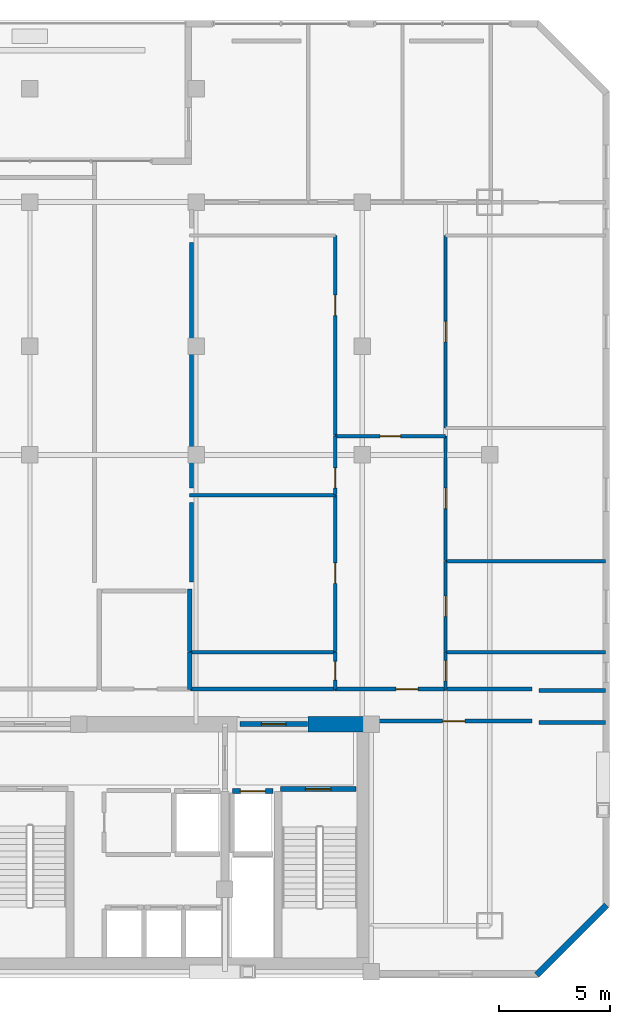
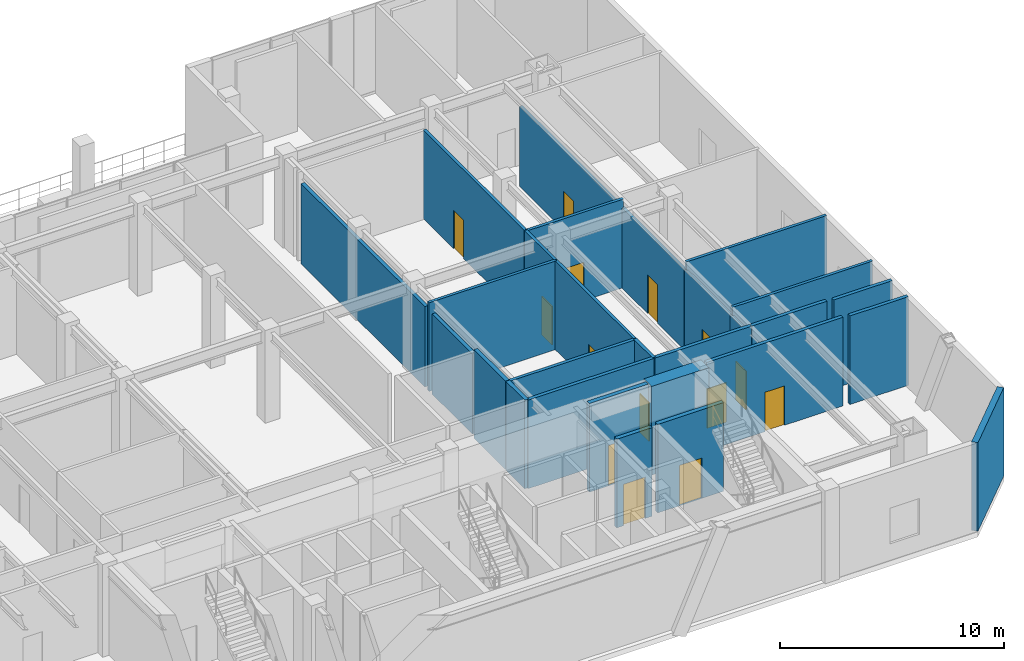
# One storey, part 8 of 11: 28 walls, 14 doors, 14 openings.
"""IFC4 building model written with IfcOpenShell, lengths in metres."""

from ifc_helpers import new_model, si_unit, direction, frame, frame_2d, origin, place, context, subcontext, project, spatial, rectangle, extrude, material, layer, layer_set, type_object, element, fill, save


model = new_model("IFC4")

# Units and contexts
model_context = context("Model", 3, precision=1e-05, world=origin(), true_north=direction((0.0, 1.0)))
body_context = subcontext(model_context, "Body", "Model", "MODEL_VIEW")
ifc_project = project(units=[si_unit("LENGTHUNIT", "METRE"), si_unit("AREAUNIT", "SQUARE_METRE"), si_unit("VOLUMEUNIT", "CUBIC_METRE"), si_unit("PLANEANGLEUNIT", "RADIAN"), si_unit("MASSUNIT", "GRAM", prefix="KILO")], contexts=[model_context])

# Site, building, storey
site_placement = place(None, origin())
site = spatial("IfcSite", under=ifc_project, at=site_placement, CompositionType="ELEMENT")
building_placement = place(site_placement, origin())
building = spatial("IfcBuilding", under=site, at=building_placement, Name="Ventersveld Concourse Tower", CompositionType="ELEMENT")
storey_placement = place(building_placement, frame((0.0, 0.0, 140.14990234375)))
storey = spatial("IfcBuildingStorey", under=building, at=storey_placement, Name="L34", CompositionType="ELEMENT", Elevation=140.14990234375)

# Wall
ifc_material_1 = material(Name="Concrete C60/75", Category="concrete")
ifc_layer_1 = layer(ifc_material_1, 0.699951171875)
ifc_layer_set_1 = layer_set([ifc_layer_1], Name="Concrete C60/75")
wall_type_1 = type_object("IfcWallType", Name="WL-CORE-700", PredefinedType="SHEAR", material=ifc_layer_set_1)
wall_1_placement = place(storey_placement, frame((41.300048828125, 11.449951171875, 0.0), z_axis=(0.0, 0.0, 1.0), x_axis=(1.0, 0.0, 0.0)))
element("IfcWall", 1, at=wall_1_placement, inside=storey, type_object=wall_type_1, Name="L34 Rear Core North Shear Wall NE", PredefinedType="SHEAR", context=body_context, shape_type="SweptSolid", body=[
    extrude(rectangle(XDim=2.949951171875, YDim=0.699951171875, at=frame_2d((1.47509765625, 0.0))), origin(), (0.0, 0.0, 1.0), 4.830078125),
])

# Wall, opening, door
ifc_material_2 = material(Name="Fire-rated autoclaved aerated masonry blockwork", Category="masonry")
ifc_layer_2 = layer(ifc_material_2, 0.179931640625)
ifc_layer_set_2 = layer_set([ifc_layer_2], Name="Fire-rated autoclaved aerated masonry blockwork")
wall_type_2 = type_object("IfcWallType", Name="WL-CORR-180", PredefinedType="PARTITIONING", material=ifc_layer_set_2)
wall_2_placement = place(storey_placement, frame((44.35498046875, 11.5849609375, 0.0), z_axis=(0.0, 0.0, 1.0), x_axis=(1.0, 0.0, 0.0)))
wall_2 = element("IfcWall", 2, at=wall_2_placement, inside=storey, type_object=wall_type_2, Name="L34 Interior Partition SP-L34-SE-OFF-SP-L34-COR", PredefinedType="PARTITIONING", context=body_context, shape_type="SweptSolid", body=[
    extrude(rectangle(XDim=7.0400390625, YDim=0.179931640625, at=frame_2d((3.52001953125, 0.0))), origin(), (0.0, 0.0, 1.0), 4.830078125),
])
opening_1_placement = place(wall_2_placement, frame((3.02001953125, 0.0, 0.0)))
opening_1 = element("IfcOpeningElement", 3, at=opening_1_placement, cuts=wall_2, Name="Opening FD3", PredefinedType="OPENING", context=body_context, shape_type="SweptSolid", body=[
    extrude(rectangle(XDim=1.0, YDim=2.14990234375, at=frame_2d((0.5, 1.074951171875))), frame((0.0, 0.10009765625, 0.0), z_axis=(0.0, -1.0, 0.0), x_axis=(1.0, 0.0, 0.0)), (0.0, 0.0, 1.0), 0.199951171875),
])
ifc_material_3 = material(Name="Solid-core hardwood veneer timber", Category="wood")
door_type_1 = type_object("IfcDoorType", Name="DR-FLAT-100", OperationType="NOTDEFINED", PredefinedType="DOOR", material=ifc_material_3)
door_1_placement = place(opening_1_placement, origin())
door_1 = element("IfcDoor", 4, at=door_1_placement, inside=storey, type_object=door_type_1, Name="L34 Interior Door SP-L34-SE-OFF to SP-L34-COR (D-L34-1668)", OperationType="SINGLE_SWING_RIGHT", OverallHeight=2.14990234375, OverallWidth=1.0, PredefinedType="DOOR", context=body_context, shape_type="SweptSolid", body=[
    extrude(rectangle(XDim=1.0, YDim=2.14990234375, at=frame_2d((0.5, 1.074951171875))), frame((0.0, 0.02490234375, 0.0), z_axis=(0.0, -1.0, 0.0), x_axis=(1.0, 0.0, 0.0)), (0.0, 0.0, 1.0), 0.050048828125),
])
fill(opening_1, door_1)

wall_3_placement = place(storey_placement, frame((42.52001953125, 13.030029296875, 0.0), z_axis=(0.0, 0.0, 1.0), x_axis=(1.0, 0.0, 0.0)))
wall_3 = element("IfcWall", 5, at=wall_3_placement, inside=storey, type_object=wall_type_2, Name="L34 Interior Partition SP-L34-COR-SP-L34-34CE-FOY", PredefinedType="PARTITIONING", context=body_context, shape_type="SweptSolid", body=[
    extrude(rectangle(XDim=4.989990234375, YDim=0.179931640625, at=frame_2d((2.4951171875, 0.0))), origin(), (0.0, 0.0, 1.0), 4.830078125),
])
opening_2_placement = place(wall_3_placement, frame((2.743408203125, 0.0, 0.0)))
opening_2 = element("IfcOpeningElement", 6, at=opening_2_placement, cuts=wall_3, Name="Opening FD3", PredefinedType="OPENING", context=body_context, shape_type="SweptSolid", body=[
    extrude(rectangle(XDim=1.0, YDim=2.14990234375, at=frame_2d((0.5, 1.074951171875))), frame((0.0, 0.10009765625, 0.0), z_axis=(0.0, -1.0, 0.0), x_axis=(1.0, 0.0, 0.0)), (0.0, 0.0, 1.0), 0.199951171875),
])
door_2_placement = place(opening_2_placement, origin())
door_2 = element("IfcDoor", 7, at=door_2_placement, inside=storey, type_object=door_type_1, Name="L34 Interior Door SP-L34-COR to SP-L34-34CE-FOY (FD-L34-1672)", OperationType="SINGLE_SWING_RIGHT", OverallHeight=2.14990234375, OverallWidth=1.0, PredefinedType="DOOR", context=body_context, shape_type="SweptSolid", body=[
    extrude(rectangle(XDim=1.0, YDim=2.14990234375, at=frame_2d((0.5, 1.074951171875))), frame((0.0, 0.02490234375, 0.0), z_axis=(0.0, -1.0, 0.0), x_axis=(1.0, 0.0, 0.0)), (0.0, 0.0, 1.0), 0.050048828125),
])
fill(opening_2, door_2)

# Walls
wall_4_placement = place(storey_placement, frame((35.9951171875, 13.030029296875, 0.0), z_axis=(0.0, 0.0, 1.0), x_axis=(1.0, 0.0, 0.0)))
element("IfcWall", 8, at=wall_4_placement, inside=storey, type_object=wall_type_2, Name="L34 Interior Partition SP-L34-COR-SP-L34-34CE-BATH", PredefinedType="PARTITIONING", context=body_context, shape_type="SweptSolid", body=[
    extrude(rectangle(XDim=6.494873046875, YDim=0.179931640625, at=frame_2d((3.24755859375, 0.0))), origin(), (0.0, 0.0, 1.0), 4.830078125),
])
wall_5_placement = place(storey_placement, frame((47.5400390625, 13.030029296875, 0.0), z_axis=(0.0, 0.0, 1.0), x_axis=(1.0, 0.0, 0.0)))
element("IfcWall", 9, at=wall_5_placement, inside=storey, type_object=wall_type_2, Name="L34 Interior Partition SP-L34-COR-SP-L34-34CE-KIT", PredefinedType="PARTITIONING", context=body_context, shape_type="SweptSolid", body=[
    extrude(rectangle(XDim=3.85498046875, YDim=0.179931640625, at=frame_2d((1.927490234375, 0.0))), origin(), (0.0, 0.0, 1.0), 4.830078125),
])
wall_6_placement = place(storey_placement, frame((51.71435546875, 11.52001953125, 0.0), z_axis=(0.0, 0.0, 1.0), x_axis=(1.0, 0.0, 0.0)))
element("IfcWall", 10, at=wall_6_placement, inside=storey, type_object=wall_type_2, Name="L34 Room Enclosure Wall SP-L34-SE-OFF", PredefinedType="PARTITIONING", context=body_context, shape_type="SweptSolid", body=[
    extrude(rectangle(XDim=3.01318359375, YDim=0.179931640625, at=frame_2d((1.506591796875, 0.0))), origin(), (0.0, 0.0, 1.0), 4.830078125),
])
wall_7_placement = place(storey_placement, frame((36.050048828125, 17.869873046875, 0.0), z_axis=(0.0, 0.0, 1.0), x_axis=(0.0, 1.0, 0.0)))
element("IfcWall", 11, at=wall_7_placement, inside=storey, type_object=wall_type_2, Name="L34 Room Enclosure Wall SP-L34-34CE-MEDL0", PredefinedType="PARTITIONING", context=body_context, shape_type="SweptSolid", body=[
    extrude(rectangle(XDim=3.587646484375, YDim=0.179931640625, at=frame_2d((1.7939453125, 0.0))), origin(), (0.0, 0.0, 1.0), 4.376708984375),
])
wall_8_placement = place(storey_placement, frame((36.050048828125, 22.107666015625, 0.0), z_axis=(0.0, 0.0, 1.0), x_axis=(0.0, 1.0, 0.0)))
element("IfcWall", 12, at=wall_8_placement, inside=storey, type_object=wall_type_2, Name="L34 Room Enclosure Wall SP-L34-34CE-OFFL2", PredefinedType="PARTITIONING", context=body_context, shape_type="SweptSolid", body=[
    extrude(rectangle(XDim=11.0673828125, YDim=0.179931640625, at=frame_2d((5.53369140625, 0.0))), origin(), (0.0, 0.0, 1.0), 4.376708984375),
])
wall_9_placement = place(storey_placement, frame((54.7275390625, 12.9599609375, 0.0), z_axis=(0.0, 0.0, 1.0), x_axis=(-1.0, 0.0, 0.0)))
element("IfcWall", 13, at=wall_9_placement, inside=storey, type_object=wall_type_2, Name="L34 Room Enclosure Wall SP-L34-34CE-KIT", PredefinedType="PARTITIONING", context=body_context, shape_type="SweptSolid", body=[
    extrude(rectangle(XDim=3.013916015625, YDim=0.179931640625, at=frame_2d((1.5068359375, 0.0))), origin(), (0.0, 0.0, 1.0), 4.830078125),
])
ifc_layer_3 = layer(ifc_material_2, 0.199951171875)
ifc_layer_set_3 = layer_set([ifc_layer_3], Name="Fire-rated autoclaved aerated masonry blockwork")
wall_type_3 = type_object("IfcWallType", Name="WL-DEMISE-200", PredefinedType="PARTITIONING", material=ifc_layer_set_3)
wall_10_placement = place(storey_placement, frame((35.9599609375, 13.014892578125, 0.0), z_axis=(0.0, 0.0, 1.0), x_axis=(0.0, 1.0, 0.0)))
element("IfcWall", 14, at=wall_10_placement, inside=storey, type_object=wall_type_3, Name="L34 Interior Partition SP-L34-SAWC-SP-L34-34CE-BATH", PredefinedType="PARTITIONING", context=body_context, shape_type="SweptSolid", body=[
    extrude(rectangle(XDim=1.690185546875, YDim=0.199951171875, at=frame_2d((0.84521484375, 0.0))), origin(), (0.0, 0.0, 1.0), 4.830078125),
])
wall_11_placement = place(storey_placement, frame((35.9599609375, 14.735107421875, 0.0), z_axis=(0.0, 0.0, 1.0), x_axis=(0.0, 1.0, 0.0)))
element("IfcWall", 15, at=wall_11_placement, inside=storey, type_object=wall_type_3, Name="L34 Interior Partition SP-L34-SAWC-SP-L34-34CE-MEDL0", PredefinedType="PARTITIONING", context=body_context, shape_type="SweptSolid", body=[
    extrude(rectangle(XDim=2.81982421875, YDim=0.199951171875, at=frame_2d((1.409912109375, 0.0))), origin(), (0.0, 0.0, 1.0), 4.830078125),
])

# Wall, opening, door
ifc_layer_4 = layer(ifc_material_2, 0.219970703125)
ifc_layer_set_4 = layer_set([ifc_layer_4], Name="Fire-rated autoclaved aerated masonry blockwork")
wall_type_4 = type_object("IfcWallType", Name="WL-HOIST-220", PredefinedType="SOLIDWALL", material=ifc_layer_set_4)
wall_12_placement = place(storey_placement, frame((37.89990234375, 8.429931640625, 0.0), z_axis=(0.0, 0.0, 1.0), x_axis=(1.0, 0.0, 0.0)))
wall_12 = element("IfcWall", 16, at=wall_12_placement, inside=storey, type_object=wall_type_4, Name="L34 Lift Hoistway Front Wall FFL-02", PredefinedType="SOLIDWALL", context=body_context, shape_type="SweptSolid", body=[
    extrude(rectangle(XDim=1.820068359375, YDim=0.219970703125, at=frame_2d((0.91015625, 0.0))), origin(), (0.0, 0.0, 1.0), 4.830078125),
])
opening_3_placement = place(wall_12_placement, frame((0.35009765625, 0.0, 0.0)))
opening_3 = element("IfcOpeningElement", 17, at=opening_3_placement, cuts=wall_12, Name="Opening LD1", PredefinedType="OPENING", context=body_context, shape_type="SweptSolid", body=[
    extrude(rectangle(XDim=1.1201171875, YDim=2.25, at=frame_2d((0.56005859375, 1.125))), frame((0.0, 0.1201171875, 0.0), z_axis=(0.0, -1.0, 0.0), x_axis=(1.0, 0.0, 0.0)), (0.0, 0.0, 1.0), 0.239990234375),
])
ifc_material_4 = material(Name="Brushed stainless steel 316", Category="steel")
door_type_2 = type_object("IfcDoorType", Name="LD-FF-112", OperationType="SLIDING_TO_LEFT", PredefinedType="DOOR", material=ifc_material_4)
door_3_placement = place(opening_3_placement, origin())
door_3 = element("IfcDoor", 18, at=door_3_placement, inside=storey, type_object=door_type_2, Name="L34 Lift landing door FFL-02 (LD-L34-FFL-02)", OperationType="SLIDING_TO_LEFT", OverallHeight=2.25, OverallWidth=1.1201171875, PredefinedType="DOOR", context=body_context, shape_type="SweptSolid", body=[
    extrude(rectangle(XDim=1.1201171875, YDim=2.25, at=frame_2d((0.56005859375, 1.125))), frame((0.0, 0.02490234375, 0.0), z_axis=(0.0, -1.0, 0.0), x_axis=(1.0, 0.0, 0.0)), (0.0, 0.0, 1.0), 0.050048828125),
])
fill(opening_3, door_3)

wall_13_placement = place(storey_placement, frame((40.06005859375, 8.52001953125, 0.0), z_axis=(0.0, 0.0, 1.0), x_axis=(1.0, 0.0, 0.0)))
wall_13 = element("IfcWall", 19, at=wall_13_placement, inside=storey, type_object=wall_type_4, Name="L34 Escape Stair ST02 Fire Wall", PredefinedType="SOLIDWALL", context=body_context, shape_type="SweptSolid", body=[
    extrude(rectangle(XDim=3.39990234375, YDim=0.219970703125, at=frame_2d((1.699951171875, 0.0))), origin(), (0.0, 0.0, 1.0), 4.830078125),
])
opening_4_placement = place(wall_13_placement, frame((1.125, 0.0, 0.0)))
opening_4 = element("IfcOpeningElement", 20, at=opening_4_placement, cuts=wall_13, Name="Opening FD1", PredefinedType="OPENING", context=body_context, shape_type="SweptSolid", body=[
    extrude(rectangle(XDim=1.14990234375, YDim=2.199951171875, at=frame_2d((0.574951171875, 1.10009765625))), frame((0.0, 0.1201171875, 0.0), z_axis=(0.0, -1.0, 0.0), x_axis=(1.0, 0.0, 0.0)), (0.0, 0.0, 1.0), 0.239990234375),
])
ifc_material_5 = material(Name="Galvanised painted steel", Category="steel")
door_type_3 = type_object("IfcDoorType", Name="DR-STAIR-115", OperationType="NOTDEFINED", PredefinedType="DOOR", material=ifc_material_5)
door_4_placement = place(opening_4_placement, origin())
door_4 = element("IfcDoor", 21, at=door_4_placement, inside=storey, type_object=door_type_3, Name="L34 Escape Stair Door ST02 (SD-L34-1656)", OperationType="SINGLE_SWING_RIGHT", OverallHeight=2.199951171875, OverallWidth=1.14990234375, PredefinedType="DOOR", context=body_context, shape_type="SweptSolid", body=[
    extrude(rectangle(XDim=1.14990234375, YDim=2.199951171875, at=frame_2d((0.574951171875, 1.10009765625))), frame((0.0, 0.02490234375, 0.0), z_axis=(0.0, -1.0, 0.0), x_axis=(1.0, 0.0, 0.0)), (0.0, 0.0, 1.0), 0.050048828125),
])
fill(opening_4, door_4)

wall_14_placement = place(storey_placement, frame((38.22998046875, 11.449951171875, 0.0), z_axis=(0.0, 0.0, 1.0), x_axis=(1.0, 0.0, 0.0)))
wall_14 = element("IfcWall", 22, at=wall_14_placement, inside=storey, type_object=wall_type_4, Name="L34 Core North Fire Portal FFLE-OUT", PredefinedType="SOLIDWALL", context=body_context, shape_type="SweptSolid", body=[
    extrude(rectangle(XDim=3.0400390625, YDim=0.219970703125, at=frame_2d((1.52001953125, 0.0))), origin(), (0.0, 0.0, 1.0), 4.830078125),
])
opening_5_placement = place(wall_14_placement, frame((0.969970703125, 0.0, 0.0)))
opening_5 = element("IfcOpeningElement", 23, at=opening_5_placement, cuts=wall_14, Name="Opening FD2", PredefinedType="OPENING", context=body_context, shape_type="SweptSolid", body=[
    extrude(rectangle(XDim=1.10009765625, YDim=2.199951171875, at=frame_2d((0.550048828125, 1.10009765625))), frame((0.0, 0.1201171875, 0.0), z_axis=(0.0, -1.0, 0.0), x_axis=(1.0, 0.0, 0.0)), (0.0, 0.0, 1.0), 0.239990234375),
])
door_type_4 = type_object("IfcDoorType", Name="DR-FFL-110", OperationType="NOTDEFINED", PredefinedType="DOOR", material=ifc_material_5)
door_5_placement = place(opening_5_placement, origin())
door_5 = element("IfcDoor", 24, at=door_5_placement, inside=storey, type_object=door_type_4, Name="L34 Core Lobby Fire Door FFLE-OUT (FD-L34-1662)", OperationType="SINGLE_SWING_LEFT", OverallHeight=2.199951171875, OverallWidth=1.10009765625, PredefinedType="DOOR", context=body_context, shape_type="SweptSolid", body=[
    extrude(rectangle(XDim=1.10009765625, YDim=2.199951171875, at=frame_2d((0.550048828125, 1.10009765625))), frame((0.0, 0.02490234375, 0.0), z_axis=(0.0, -1.0, 0.0), x_axis=(1.0, 0.0, 0.0)), (0.0, 0.0, 1.0), 0.050048828125),
])
fill(opening_5, door_5)

ifc_material_6 = material(Name="Autoclaved aerated masonry blockwork", Category="masonry")
ifc_layer_5 = layer(ifc_material_6, 0.14990234375)
ifc_layer_set_5 = layer_set([ifc_layer_5], Name="Autoclaved aerated masonry blockwork")
wall_type_5 = type_object("IfcWallType", Name="WL-INT-150", PredefinedType="PARTITIONING", material=ifc_layer_set_5)
wall_15_placement = place(storey_placement, frame((42.52001953125, 24.444091796875, 0.0), z_axis=(0.0, 0.0, 1.0), x_axis=(1.0, 0.0, 0.0)))
wall_15 = element("IfcWall", 25, at=wall_15_placement, inside=storey, type_object=wall_type_5, Name="L34 Interior Partition SP-L34-34CE-FOY-SP-L34-34CE-LIV", PredefinedType="PARTITIONING", context=body_context, shape_type="SweptSolid", body=[
    extrude(rectangle(XDim=4.989990234375, YDim=0.14990234375, at=frame_2d((2.4951171875, 0.0))), origin(), (0.0, 0.0, 1.0), 4.830078125),
])
opening_6_placement = place(wall_15_placement, frame((2.034912109375, 0.0, 0.0)))
opening_6 = element("IfcOpeningElement", 26, at=opening_6_placement, cuts=wall_15, Name="Opening ID1", PredefinedType="OPENING", context=body_context, shape_type="SweptSolid", body=[
    extrude(rectangle(XDim=0.919921875, YDim=2.10009765625, at=frame_2d((0.4599609375, 1.050048828125))), frame((0.0, 0.0849609375, 0.0), z_axis=(0.0, -1.0, 0.0), x_axis=(1.0, 0.0, 0.0)), (0.0, 0.0, 1.0), 0.169921875),
])
door_type_5 = type_object("IfcDoorType", Name="DR-ROOM-092", OperationType="NOTDEFINED", PredefinedType="DOOR", material=ifc_material_3)
door_6_placement = place(opening_6_placement, origin())
door_6 = element("IfcDoor", 27, at=door_6_placement, inside=storey, type_object=door_type_5, Name="L34 Interior Door SP-L34-34CE-FOY to SP-L34-34CE-LIV (D-L34-1686)", OperationType="SINGLE_SWING_RIGHT", OverallHeight=2.10009765625, OverallWidth=0.919921875, PredefinedType="DOOR", context=body_context, shape_type="SweptSolid", body=[
    extrude(rectangle(XDim=0.919921875, YDim=2.10009765625, at=frame_2d((0.4599609375, 1.050048828125))), frame((0.0, 0.02490234375, 0.0), z_axis=(0.0, -1.0, 0.0), x_axis=(1.0, 0.0, 0.0)), (0.0, 0.0, 1.0), 0.050048828125),
])
fill(opening_6, door_6)

wall_16_placement = place(storey_placement, frame((42.52490234375, 14.735107421875, 0.0), z_axis=(0.0, 0.0, 1.0), x_axis=(0.0, 1.0, 0.0)))
wall_16 = element("IfcWall", 28, at=wall_16_placement, inside=storey, type_object=wall_type_5, Name="L34 Interior Partition SP-L34-34CE-FOY-SP-L34-34CE-MEDL0", PredefinedType="PARTITIONING", context=body_context, shape_type="SweptSolid", body=[
    extrude(rectangle(XDim=7.052490234375, YDim=0.14990234375, at=frame_2d((3.5263671875, 0.0))), origin(), (0.0, 0.0, 1.0), 4.830078125),
])
opening_7_placement = place(wall_16_placement, frame((3.06640625, 0.0, 0.0)))
opening_7 = element("IfcOpeningElement", 29, at=opening_7_placement, cuts=wall_16, Name="Opening ID1", PredefinedType="OPENING", context=body_context, shape_type="SweptSolid", body=[
    extrude(rectangle(XDim=0.919921875, YDim=2.10009765625, at=frame_2d((0.4599609375, 1.050048828125))), frame((0.0, 0.0849609375, 0.0), z_axis=(0.0, -1.0, 0.0), x_axis=(1.0, 0.0, 0.0)), (0.0, 0.0, 1.0), 0.169921875),
])
door_7_placement = place(opening_7_placement, origin())
door_7 = element("IfcDoor", 30, at=door_7_placement, inside=storey, type_object=door_type_5, Name="L34 Interior Door SP-L34-34CE-FOY to SP-L34-34CE-MEDL0 (D-L34-1688)", OperationType="SINGLE_SWING_RIGHT", OverallHeight=2.10009765625, OverallWidth=0.919921875, PredefinedType="DOOR", context=body_context, shape_type="SweptSolid", body=[
    extrude(rectangle(XDim=0.919921875, YDim=2.10009765625, at=frame_2d((0.4599609375, 1.050048828125))), frame((0.0, 0.02490234375, 0.0), z_axis=(0.0, -1.0, 0.0), x_axis=(1.0, 0.0, 0.0)), (0.0, 0.0, 1.0), 0.050048828125),
])
fill(opening_7, door_7)

wall_17_placement = place(storey_placement, frame((42.52490234375, 21.817626953125, 0.0), z_axis=(0.0, 0.0, 1.0), x_axis=(0.0, 1.0, 0.0)))
wall_17 = element("IfcWall", 31, at=wall_17_placement, inside=storey, type_object=wall_type_5, Name="L34 Interior Partition SP-L34-34CE-FOY-SP-L34-34CE-OFFL2", PredefinedType="PARTITIONING", context=body_context, shape_type="SweptSolid", body=[
    extrude(rectangle(XDim=2.631591796875, YDim=0.14990234375, at=frame_2d((1.31591796875, 0.0))), origin(), (0.0, 0.0, 1.0), 4.830078125),
])
opening_8_placement = place(wall_17_placement, frame((0.280029296875, 0.0, 0.0)))
opening_8 = element("IfcOpeningElement", 32, at=opening_8_placement, cuts=wall_17, Name="Opening ID1", PredefinedType="OPENING", context=body_context, shape_type="SweptSolid", body=[
    extrude(rectangle(XDim=0.919921875, YDim=2.10009765625, at=frame_2d((0.4599609375, 1.050048828125))), frame((0.0, 0.0849609375, 0.0), z_axis=(0.0, -1.0, 0.0), x_axis=(1.0, 0.0, 0.0)), (0.0, 0.0, 1.0), 0.169921875),
])
door_8_placement = place(opening_8_placement, origin())
door_8 = element("IfcDoor", 33, at=door_8_placement, inside=storey, type_object=door_type_5, Name="L34 Interior Door SP-L34-34CE-FOY to SP-L34-34CE-OFFL2 (D-L34-1689)", OperationType="SINGLE_SWING_LEFT", OverallHeight=2.10009765625, OverallWidth=0.919921875, PredefinedType="DOOR", context=body_context, shape_type="SweptSolid", body=[
    extrude(rectangle(XDim=0.919921875, YDim=2.10009765625, at=frame_2d((0.4599609375, 1.050048828125))), frame((0.0, 0.02490234375, 0.0), z_axis=(0.0, -1.0, 0.0), x_axis=(1.0, 0.0, 0.0)), (0.0, 0.0, 1.0), 0.050048828125),
])
fill(opening_8, door_8)

wall_18_placement = place(storey_placement, frame((47.5048828125, 13.014892578125, 0.0), z_axis=(0.0, 0.0, 1.0), x_axis=(0.0, 1.0, 0.0)))
wall_18 = element("IfcWall", 34, at=wall_18_placement, inside=storey, type_object=wall_type_5, Name="L34 Interior Partition SP-L34-34CE-FOY-SP-L34-34CE-KIT", PredefinedType="PARTITIONING", context=body_context, shape_type="SweptSolid", body=[
    extrude(rectangle(XDim=1.690185546875, YDim=0.14990234375, at=frame_2d((0.84521484375, 0.0))), origin(), (0.0, 0.0, 1.0), 4.376708984375),
])
opening_9_placement = place(wall_18_placement, frame((0.385009765625, 0.0, 0.0)))
opening_9 = element("IfcOpeningElement", 35, at=opening_9_placement, cuts=wall_18, Name="Opening ID1", PredefinedType="OPENING", context=body_context, shape_type="SweptSolid", body=[
    extrude(rectangle(XDim=0.919921875, YDim=2.10009765625, at=frame_2d((0.4599609375, 1.050048828125))), frame((0.0, 0.0849609375, 0.0), z_axis=(0.0, -1.0, 0.0), x_axis=(1.0, 0.0, 0.0)), (0.0, 0.0, 1.0), 0.169921875),
])
door_9_placement = place(opening_9_placement, origin())
door_9 = element("IfcDoor", 36, at=door_9_placement, inside=storey, type_object=door_type_5, Name="L34 Interior Door SP-L34-34CE-FOY to SP-L34-34CE-KIT (D-L34-1690)", OperationType="SINGLE_SWING_RIGHT", OverallHeight=2.10009765625, OverallWidth=0.919921875, PredefinedType="DOOR", context=body_context, shape_type="SweptSolid", body=[
    extrude(rectangle(XDim=0.919921875, YDim=2.10009765625, at=frame_2d((0.4599609375, 1.050048828125))), frame((0.0, 0.02490234375, 0.0), z_axis=(0.0, -1.0, 0.0), x_axis=(1.0, 0.0, 0.0)), (0.0, 0.0, 1.0), 0.050048828125),
])
fill(opening_9, door_9)

wall_19_placement = place(storey_placement, frame((47.5048828125, 14.735107421875, 0.0), z_axis=(0.0, 0.0, 1.0), x_axis=(0.0, 1.0, 0.0)))
wall_19 = element("IfcWall", 37, at=wall_19_placement, inside=storey, type_object=wall_type_5, Name="L34 Interior Partition SP-L34-34CE-FOY-SP-L34-34CE-SEMR1", PredefinedType="PARTITIONING", context=body_context, shape_type="SweptSolid", body=[
    extrude(rectangle(XDim=4.0634765625, YDim=0.14990234375, at=frame_2d((2.03173828125, 0.0))), origin(), (0.0, 0.0, 1.0), 4.376708984375),
])
opening_10_placement = place(wall_19_placement, frame((1.57177734375, 0.0, 0.0)))
opening_10 = element("IfcOpeningElement", 38, at=opening_10_placement, cuts=wall_19, Name="Opening ID1", PredefinedType="OPENING", context=body_context, shape_type="SweptSolid", body=[
    extrude(rectangle(XDim=0.919921875, YDim=2.10009765625, at=frame_2d((0.4599609375, 1.050048828125))), frame((0.0, 0.0849609375, 0.0), z_axis=(0.0, -1.0, 0.0), x_axis=(1.0, 0.0, 0.0)), (0.0, 0.0, 1.0), 0.169921875),
])
door_10_placement = place(opening_10_placement, origin())
door_10 = element("IfcDoor", 39, at=door_10_placement, inside=storey, type_object=door_type_5, Name="L34 Interior Door SP-L34-34CE-FOY to SP-L34-34CE-SEMR1 (D-L34-1691)", OperationType="SINGLE_SWING_LEFT", OverallHeight=2.10009765625, OverallWidth=0.919921875, PredefinedType="DOOR", context=body_context, shape_type="SweptSolid", body=[
    extrude(rectangle(XDim=0.919921875, YDim=2.10009765625, at=frame_2d((0.4599609375, 1.050048828125))), frame((0.0, 0.02490234375, 0.0), z_axis=(0.0, -1.0, 0.0), x_axis=(1.0, 0.0, 0.0)), (0.0, 0.0, 1.0), 0.050048828125),
])
fill(opening_10, door_10)

wall_20_placement = place(storey_placement, frame((47.5048828125, 18.82861328125, 0.0), z_axis=(0.0, 0.0, 1.0), x_axis=(0.0, 1.0, 0.0)))
wall_20 = element("IfcWall", 40, at=wall_20_placement, inside=storey, type_object=wall_type_5, Name="L34 Interior Partition SP-L34-34CE-FOY-SP-L34-34CE-DENS", PredefinedType="PARTITIONING", context=body_context, shape_type="SweptSolid", body=[
    extrude(rectangle(XDim=5.62060546875, YDim=0.14990234375, at=frame_2d((2.810302734375, 0.0))), origin(), (0.0, 0.0, 1.0), 4.376708984375),
])
opening_11_placement = place(wall_20_placement, frame((2.350341796875, 0.0, 0.0)))
opening_11 = element("IfcOpeningElement", 41, at=opening_11_placement, cuts=wall_20, Name="Opening ID1", PredefinedType="OPENING", context=body_context, shape_type="SweptSolid", body=[
    extrude(rectangle(XDim=0.919921875, YDim=2.10009765625, at=frame_2d((0.4599609375, 1.050048828125))), frame((0.0, 0.0849609375, 0.0), z_axis=(0.0, -1.0, 0.0), x_axis=(1.0, 0.0, 0.0)), (0.0, 0.0, 1.0), 0.169921875),
])
door_11_placement = place(opening_11_placement, origin())
door_11 = element("IfcDoor", 42, at=door_11_placement, inside=storey, type_object=door_type_5, Name="L34 Interior Door SP-L34-34CE-FOY to SP-L34-34CE-DENS (D-L34-1692)", OperationType="SINGLE_SWING_RIGHT", OverallHeight=2.10009765625, OverallWidth=0.919921875, PredefinedType="DOOR", context=body_context, shape_type="SweptSolid", body=[
    extrude(rectangle(XDim=0.919921875, YDim=2.10009765625, at=frame_2d((0.4599609375, 1.050048828125))), frame((0.0, 0.02490234375, 0.0), z_axis=(0.0, -1.0, 0.0), x_axis=(1.0, 0.0, 0.0)), (0.0, 0.0, 1.0), 0.050048828125),
])
fill(opening_11, door_11)

wall_21_placement = place(storey_placement, frame((42.52490234375, 24.47900390625, 0.0), z_axis=(0.0, 0.0, 1.0), x_axis=(0.0, 1.0, 0.0)))
wall_21 = element("IfcWall", 43, at=wall_21_placement, inside=storey, type_object=wall_type_5, Name="L34 Interior Partition SP-L34-34CE-LIV-SP-L34-34CE-OFFL2", PredefinedType="PARTITIONING", context=body_context, shape_type="SweptSolid", body=[
    extrude(rectangle(XDim=9.02587890625, YDim=0.14990234375, at=frame_2d((4.512939453125, 0.0))), origin(), (0.0, 0.0, 1.0), 4.830078125),
])
opening_12_placement = place(wall_21_placement, frame((5.40673828125, 0.0, 0.0)))
opening_12 = element("IfcOpeningElement", 44, at=opening_12_placement, cuts=wall_21, Name="Opening ID1", PredefinedType="OPENING", context=body_context, shape_type="SweptSolid", body=[
    extrude(rectangle(XDim=0.919921875, YDim=2.10009765625, at=frame_2d((0.4599609375, 1.050048828125))), frame((0.0, 0.0849609375, 0.0), z_axis=(0.0, -1.0, 0.0), x_axis=(1.0, 0.0, 0.0)), (0.0, 0.0, 1.0), 0.169921875),
])
door_12_placement = place(opening_12_placement, origin())
door_12 = element("IfcDoor", 45, at=door_12_placement, inside=storey, type_object=door_type_5, Name="L34 Interior Door SP-L34-34CE-LIV to SP-L34-34CE-OFFL2 (D-L34-1693)", OperationType="SINGLE_SWING_LEFT", OverallHeight=2.10009765625, OverallWidth=0.919921875, PredefinedType="DOOR", context=body_context, shape_type="SweptSolid", body=[
    extrude(rectangle(XDim=0.919921875, YDim=2.10009765625, at=frame_2d((0.4599609375, 1.050048828125))), frame((0.0, 0.02490234375, 0.0), z_axis=(0.0, -1.0, 0.0), x_axis=(1.0, 0.0, 0.0)), (0.0, 0.0, 1.0), 0.050048828125),
])
fill(opening_12, door_12)

wall_22_placement = place(storey_placement, frame((47.5048828125, 24.807861328125, 0.0), z_axis=(0.0, 0.0, 1.0), x_axis=(0.0, 1.0, 0.0)))
wall_22 = element("IfcWall", 46, at=wall_22_placement, inside=storey, type_object=wall_type_5, Name="L34 Interior Partition SP-L34-34CE-LIV-SP-L34-34CE-DENS2", PredefinedType="PARTITIONING", context=body_context, shape_type="SweptSolid", body=[
    extrude(rectangle(XDim=8.697021484375, YDim=0.14990234375, at=frame_2d((4.3486328125, 0.0))), origin(), (0.0, 0.0, 1.0), 4.376708984375),
])
opening_13_placement = place(wall_22_placement, frame((3.888671875, 0.0, 0.0)))
opening_13 = element("IfcOpeningElement", 47, at=opening_13_placement, cuts=wall_22, Name="Opening ID1", PredefinedType="OPENING", context=body_context, shape_type="SweptSolid", body=[
    extrude(rectangle(XDim=0.919921875, YDim=2.10009765625, at=frame_2d((0.4599609375, 1.050048828125))), frame((0.0, 0.0849609375, 0.0), z_axis=(0.0, -1.0, 0.0), x_axis=(1.0, 0.0, 0.0)), (0.0, 0.0, 1.0), 0.169921875),
])
door_13_placement = place(opening_13_placement, origin())
door_13 = element("IfcDoor", 48, at=door_13_placement, inside=storey, type_object=door_type_5, Name="L34 Interior Door SP-L34-34CE-LIV to SP-L34-34CE-DENS2 (D-L34-1694)", OperationType="SINGLE_SWING_RIGHT", OverallHeight=2.10009765625, OverallWidth=0.919921875, PredefinedType="DOOR", context=body_context, shape_type="SweptSolid", body=[
    extrude(rectangle(XDim=0.919921875, YDim=2.10009765625, at=frame_2d((0.4599609375, 1.050048828125))), frame((0.0, 0.02490234375, 0.0), z_axis=(0.0, -1.0, 0.0), x_axis=(1.0, 0.0, 0.0)), (0.0, 0.0, 1.0), 0.050048828125),
])
fill(opening_13, door_13)

# Walls
wall_23_placement = place(storey_placement, frame((35.955078125, 21.78271484375, 0.0), z_axis=(0.0, 0.0, 1.0), x_axis=(1.0, 0.0, 0.0)))
element("IfcWall", 49, at=wall_23_placement, inside=storey, type_object=wall_type_5, Name="L34 Interior Partition SP-L34-34CE-MEDL0-SP-L34-34CE-OFFL2", PredefinedType="PARTITIONING", context=body_context, shape_type="SweptSolid", body=[
    extrude(rectangle(XDim=6.574951171875, YDim=0.14990234375, at=frame_2d((3.28759765625, 0.0))), origin(), (0.0, 0.0, 1.0), 4.830078125),
])
for number, where, z_axis, x_axis, name in (
    (50, (47.5, 14.699951171875, 0.0), (0.0, 0.0, 1.0), (1.0, 0.0, 0.0), "L34 Interior Partition SP-L34-34CE-KIT-SP-L34-34CE-SEMR1"),
    (51, (47.5, 18.79345703125, 0.0), (0.0, 0.0, 1.0), (1.0, 0.0, 0.0), "L34 Interior Partition SP-L34-34CE-SEMR1-SP-L34-34CE-DENS"),
):
    element("IfcWall", number, at=place(storey_placement, frame(where, z_axis=z_axis, x_axis=x_axis)), inside=storey, type_object=wall_type_5, Name=name, PredefinedType="PARTITIONING", context=body_context, shape_type="SweptSolid", body=[
        extrude(rectangle(XDim=7.2275390625, YDim=0.14990234375, at=frame_2d((3.61376953125, 0.0))), origin(), (0.0, 0.0, 1.0), 4.830078125),
    ])
ifc_material_7 = material(Name="Precast concrete C45/55", Category="concrete")
ifc_layer_6 = layer(ifc_material_7, 0.300048828125)
ifc_layer_set_6 = layer_set([ifc_layer_6], Name="Precast concrete C45/55")
wall_type_6 = type_object("IfcWallType", Name="WL-PREC-300", PredefinedType="SOLIDWALL", material=ifc_layer_set_6)
wall_24_placement = place(storey_placement, frame((51.622314453125, 0.134521484375, 0.0), z_axis=(0.0, 0.0, 1.0), x_axis=(0.707106781187, 0.707106781187, 0.0)))
element("IfcWall", 52, at=wall_24_placement, inside=storey, type_object=wall_type_6, Name="L34 Highveld Precast Facade Wall E02", PredefinedType="SOLIDWALL", context=body_context, shape_type="SweptSolid", body=[
    extrude(rectangle(XDim=4.4453125, YDim=0.300048828125, at=frame_2d((2.22265625, 0.0))), origin(), (0.0, 0.0, 1.0), 4.830078125),
])

# Wall, opening, door
ifc_layer_7 = layer(ifc_material_6, 0.1650390625)
ifc_layer_set_7 = layer_set([ifc_layer_7], Name="Autoclaved aerated masonry blockwork")
wall_type_7 = type_object("IfcWallType", Name="WL-WET-165", PredefinedType="PLUMBINGWALL", material=ifc_layer_set_7)
wall_25_placement = place(storey_placement, frame((42.52490234375, 13.014892578125, 0.0), z_axis=(0.0, 0.0, 1.0), x_axis=(0.0, 1.0, 0.0)))
wall_25 = element("IfcWall", 53, at=wall_25_placement, inside=storey, type_object=wall_type_7, Name="L34 Interior Partition SP-L34-34CE-FOY-SP-L34-34CE-BATH", PredefinedType="PLUMBINGWALL", context=body_context, shape_type="SweptSolid", body=[
    extrude(rectangle(XDim=1.690185546875, YDim=0.1650390625, at=frame_2d((0.84521484375, 0.0))), origin(), (0.0, 0.0, 1.0), 4.830078125),
])
opening_14_placement = place(wall_25_placement, frame((0.419921875, 0.0, 0.0)))
opening_14 = element("IfcOpeningElement", 54, at=opening_14_placement, cuts=wall_25, Name="Opening ID2", PredefinedType="OPENING", context=body_context, shape_type="SweptSolid", body=[
    extrude(rectangle(XDim=0.85009765625, YDim=2.10009765625, at=frame_2d((0.425048828125, 1.050048828125))), frame((0.0, 0.092529296875, 0.0), z_axis=(0.0, -1.0, 0.0), x_axis=(1.0, 0.0, 0.0)), (0.0, 0.0, 1.0), 0.18505859375),
])
door_type_6 = type_object("IfcDoorType", Name="DR-BATH-085", OperationType="NOTDEFINED", PredefinedType="DOOR", material=ifc_material_3)
door_14_placement = place(opening_14_placement, origin())
door_14 = element("IfcDoor", 55, at=door_14_placement, inside=storey, type_object=door_type_6, Name="L34 Interior Door SP-L34-34CE-FOY to SP-L34-34CE-BATH (D-L34-1687)", OperationType="SINGLE_SWING_LEFT", OverallHeight=2.10009765625, OverallWidth=0.85009765625, PredefinedType="DOOR", context=body_context, shape_type="SweptSolid", body=[
    extrude(rectangle(XDim=0.85009765625, YDim=2.10009765625, at=frame_2d((0.425048828125, 1.050048828125))), frame((0.0, 0.02490234375, 0.0), z_axis=(0.0, -1.0, 0.0), x_axis=(1.0, 0.0, 0.0)), (0.0, 0.0, 1.0), 0.050048828125),
])
fill(opening_14, door_14)

# Wall
wall_26_placement = place(storey_placement, frame((35.955078125, 14.699951171875, 0.0), z_axis=(0.0, 0.0, 1.0), x_axis=(1.0, 0.0, 0.0)))
element("IfcWall", 56, at=wall_26_placement, inside=storey, type_object=wall_type_7, Name="L34 Interior Partition SP-L34-34CE-BATH-SP-L34-34CE-MEDL0", PredefinedType="PLUMBINGWALL", context=body_context, shape_type="SweptSolid", body=[
    extrude(rectangle(XDim=6.574951171875, YDim=0.1650390625, at=frame_2d((3.28759765625, 0.0))), origin(), (0.0, 0.0, 1.0), 4.830078125),
])

save(model, "model.ifc")
